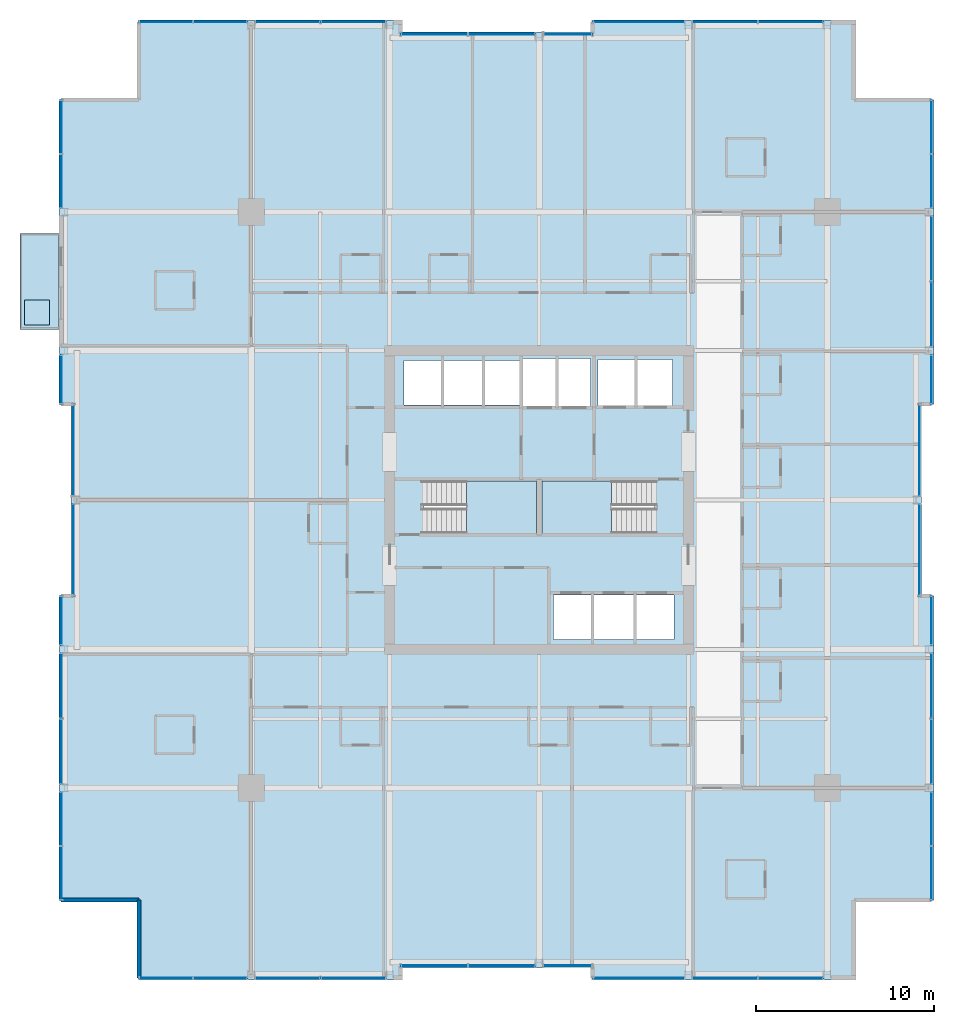
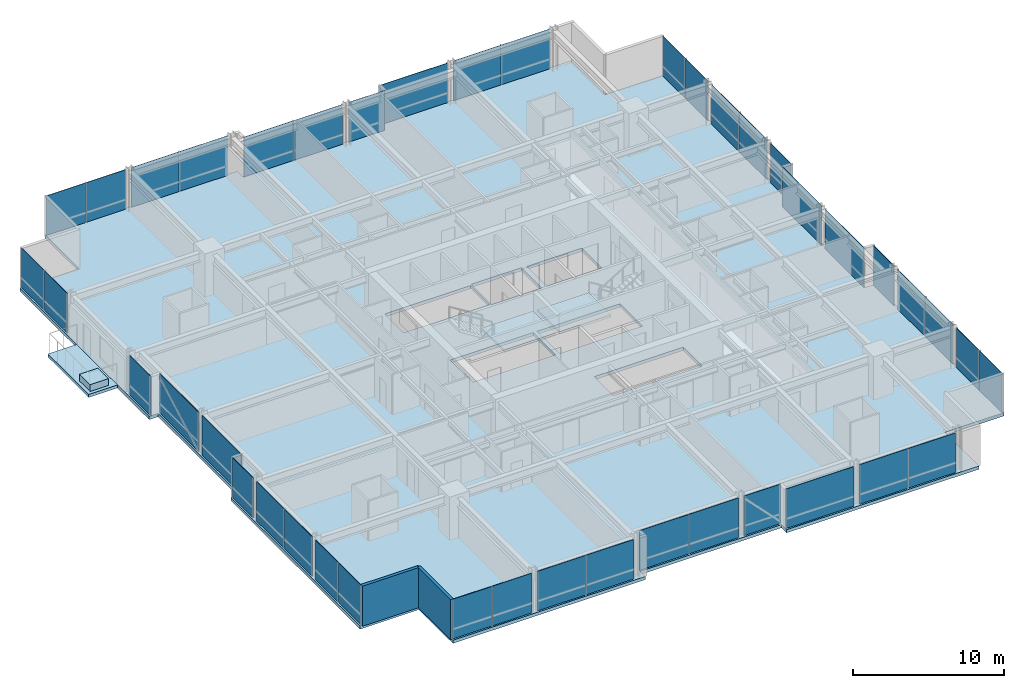
# One storey, part 27 of 35: 42 plates, 5 slabs, 2 walls, 29 elements without a shape of their own.
"""IFC4 building model written with IfcOpenShell, lengths in metres."""

from ifc_helpers import new_model, si_unit, direction, frame, frame_2d, origin, origin_2d, place, context, subcontext, project, spatial, polyline, rectangle, outline, extrude, material, layer, layer_set, type_object, element, aggregate, save


model = new_model("IFC4")

# Units and contexts
model_context = context("Model", 3, precision=1e-05, world=origin(), true_north=direction((0.0, 1.0)))
body_context = subcontext(model_context, "Body", "Model", "MODEL_VIEW")
ifc_project = project(units=[si_unit("LENGTHUNIT", "METRE"), si_unit("AREAUNIT", "SQUARE_METRE"), si_unit("VOLUMEUNIT", "CUBIC_METRE"), si_unit("PLANEANGLEUNIT", "RADIAN"), si_unit("MASSUNIT", "GRAM", prefix="KILO")], contexts=[model_context])

# Site, building, storey
site_placement = place(None, origin())
site = spatial("IfcSite", under=ifc_project, at=site_placement, CompositionType="ELEMENT")
building_placement = place(site_placement, origin())
building = spatial("IfcBuilding", under=site, at=building_placement, Name="Drelvath Grand Hotel", CompositionType="ELEMENT")
storey_placement = place(building_placement, frame((0.0, 0.0, 130.300048828125)))
storey = spatial("IfcBuildingStorey", under=building, at=storey_placement, Name="L33", CompositionType="ELEMENT", Elevation=130.300048828125)

# Slabs
ifc_material_1 = material(Name="Concrete f'c 40 MPa", Category="concrete")
ifc_layer_1 = layer(ifc_material_1, 0.239990234375)
ifc_layer_set_1 = layer_set([ifc_layer_1], Name="Concrete f'c 40 MPa")
slab_type_1 = type_object("IfcSlabType", Name="Cantilevered Tree Balcony Slab 240", PredefinedType="FLOOR", material=ifc_layer_set_1)
slab_1_placement = place(storey_placement, frame((0.0, 0.0, -0.239990234375)))
element("IfcSlab", 1, at=slab_1_placement, inside=storey, type_object=slab_type_1, Name="L33 Cantilevered Tree Balcony Slab 1", PredefinedType="FLOOR", context=body_context, shape_type="SweptSolid", body=[
    extrude(outline(polyline([(-29.199951171875, 36.60009765625), (-27.0, 36.60009765625), (-27.0, 42.0), (-29.199951171875, 42.0), (-29.199951171875, 36.60009765625)])), origin(), (0.0, 0.0, 1.0), 0.239990234375),
])
ifc_layer_2 = layer(ifc_material_1, 0.260009765625)
ifc_layer_set_2 = layer_set([ifc_layer_2], Name="Concrete f'c 40 MPa")
slab_type_2 = type_object("IfcSlabType", Name="Composite RC Floor Slab 260", PredefinedType="FLOOR", material=ifc_layer_set_2)
slab_2_placement = place(storey_placement, frame((0.0, 0.0, -0.260009765625)))
element("IfcSlab", 2, at=slab_2_placement, inside=storey, type_object=slab_type_2, Name="L33 Structural Floor Slab", PredefinedType="FLOOR", context=body_context, shape_type="SweptSolid", body=[
    extrude(outline(polyline([(-22.5, 0.0), (-7.800048828125, 0.0), (-7.800048828125, 0.679931640625), (3.0, 0.679931640625), (3.0, 0.0), (17.699951171875, 0.0), (17.699951171875, 4.5), (22.199951171875, 4.5), (22.199951171875, 21.60009765625), (21.52001953125, 21.60009765625), (21.52001953125, 32.39990234375), (22.199951171875, 32.39990234375), (22.199951171875, 49.5), (17.699951171875, 49.5), (17.699951171875, 54.0), (3.0, 54.0), (3.0, 53.320068359375), (-7.800048828125, 53.320068359375), (-7.800048828125, 54.0), (-22.5, 54.0), (-22.5, 49.5), (-27.0, 49.5), (-27.0, 32.39990234375), (-26.320068359375, 32.39990234375), (-26.320068359375, 21.60009765625), (-27.0, 21.60009765625), (-27.0, 4.5), (-22.5, 4.5), (-22.5, 0.0)]), holes=[polyline([(-6.47998046875, 25.1201171875), (-6.47998046875, 28.080078125), (-0.14990234375, 28.080078125), (-0.14990234375, 25.1201171875), (-6.47998046875, 25.1201171875)]), polyline([(0.14990234375, 25.1201171875), (0.14990234375, 28.080078125), (6.47998046875, 28.080078125), (6.47998046875, 25.1201171875), (0.14990234375, 25.1201171875)]), polyline([(0.800048828125, 19.14990234375), (0.800048828125, 21.64990234375), (7.60009765625, 21.64990234375), (7.60009765625, 19.14990234375), (0.800048828125, 19.14990234375)]), polyline([(-7.60009765625, 32.35009765625), (-7.60009765625, 34.85009765625), (-1.02001953125, 34.85009765625), (-1.02001953125, 32.35009765625), (-7.60009765625, 32.35009765625)]), polyline([(-0.89990234375, 32.25), (-0.89990234375, 34.949951171875), (2.89990234375, 34.949951171875), (2.89990234375, 32.25), (-0.89990234375, 32.25)]), polyline([(3.300048828125, 32.300048828125), (3.300048828125, 34.89990234375), (7.5, 34.89990234375), (7.5, 32.300048828125), (3.300048828125, 32.300048828125)])]), origin(), (0.0, 0.0, 1.0), 0.260009765625),
])

# Stair, slab
ifc_material_2 = material(Name="Concrete C40/50", Category="concrete")
stair_type = type_object("IfcStairType", Name="Dogleg Exit Stair W1400-R175.0", PredefinedType="HALF_TURN_STAIR", material=ifc_material_2)
stair_1_placement = place(storey_placement, origin())
stair_1 = element("IfcStair", 3, at=stair_1_placement, inside=storey, type_object=stair_type, Name="L33 Core Exit Stair ST-1", PredefinedType="HALF_TURN_STAIR")
ifc_layer_3 = layer(ifc_material_2, 0.199951171875)
ifc_layer_set_3 = layer_set([ifc_layer_3], Name="Concrete C40/50")
slab_type_3 = type_object("IfcSlabType", Name="Concrete Stair Landing Slab 200", PredefinedType="LANDING", material=ifc_layer_set_3)
slab_3_placement = place(storey_placement, frame((0.0, 0.0, 1.550048828125)))
slab_3 = element("IfcSlab", 4, at=slab_3_placement, type_object=slab_type_3, Name="ST-1 landing 1", PredefinedType="LANDING", context=body_context, shape_type="SweptSolid", body=[
    extrude(outline(polyline([(-4.080078125, 25.1201171875), (-0.14990234375, 25.1201171875), (-0.14990234375, 28.080078125), (-4.080078125, 28.080078125), (-4.080078125, 25.1201171875)])), origin(), (0.0, 0.0, 1.0), 0.199951171875),
])
aggregate(stair_1, [slab_3])

stair_2_placement = place(storey_placement, origin())
stair_2 = element("IfcStair", 5, at=stair_2_placement, inside=storey, type_object=stair_type, Name="L33 Core Exit Stair ST-2", PredefinedType="HALF_TURN_STAIR")
slab_4_placement = place(storey_placement, frame((0.0, 0.0, 1.550048828125)))
slab_4 = element("IfcSlab", 6, at=slab_4_placement, type_object=slab_type_3, Name="ST-2 landing 1", PredefinedType="LANDING", context=body_context, shape_type="SweptSolid", body=[
    extrude(outline(polyline([(4.080078125, 28.080078125), (0.14990234375, 28.080078125), (0.14990234375, 25.1201171875), (4.080078125, 25.1201171875), (4.080078125, 28.080078125)])), origin(), (0.0, 0.0, 1.0), 0.199951171875),
])
aggregate(stair_2, [slab_4])

# Curtain wall, plates
ifc_material_3 = material(Name="Champagne Bronze Anodised Aluminium Frame", Category="aluminium")
ifc_layer_4 = layer(ifc_material_3, 0.199951171875)
ifc_layer_set_4 = layer_set([ifc_layer_4], Name="Champagne Bronze Anodised Aluminium Frame")
curtain_wall_type = type_object("IfcCurtainWallType", Name="Stick Curtain Wall CW-03 Champagne Bronze Mid-Rise", PredefinedType="NOTDEFINED", material=ifc_layer_set_4)
curtain_wall_1_placement = place(storey_placement, origin())
curtain_wall_1 = element("IfcCurtainWall", 7, at=curtain_wall_1_placement, inside=storey, type_object=curtain_wall_type, Name="L33 CW-03 Curtain Wall CW03-L33-WS1", PredefinedType="NOTDEFINED")
ifc_material_4 = material(Name="Low-E Triple Silver Vision Glass Neutral", Category="glass")
ifc_layer_5 = layer(ifc_material_4, 0.035888671875)
ifc_layer_set_5 = layer_set([ifc_layer_5], Name="Low-E Triple Silver Vision Glass Neutral")
plate_type = type_object("IfcPlateType", Name="Curtain Wall Vision Panel CW-03 36mm", PredefinedType="CURTAIN_PANEL", material=ifc_layer_set_5)
plate_1_placement = place(storey_placement, frame((-26.8798828125, 6.022705078125, 0.02001953125), z_axis=(0.0, 0.0, 1.0), x_axis=(0.0, 1.0, 0.0)))
plate_1 = element("IfcPlate", 8, at=plate_1_placement, type_object=plate_type, Name="CW03-L33-WS1 Glazed Panel 1", PredefinedType="CURTAIN_PANEL", context=body_context, shape_type="SweptSolid", body=[
    extrude(rectangle(XDim=3.00537109375, YDim=0.035888671875, at=origin_2d()), origin(), (0.0, 0.0, 1.0), 3.199951171875),
])
plate_2_placement = place(storey_placement, frame((-26.8798828125, 9.06787109375, 0.02001953125), z_axis=(0.0, 0.0, 1.0), x_axis=(0.0, 1.0, 0.0)))
plate_2 = element("IfcPlate", 9, at=plate_2_placement, type_object=plate_type, Name="CW03-L33-WS1 Glazed Panel 2", PredefinedType="CURTAIN_PANEL", context=body_context, shape_type="SweptSolid", body=[
    extrude(rectangle(XDim=3.00537109375, YDim=0.035888671875, at=origin_2d()), origin(), (0.0, 0.0, 1.0), 3.199951171875),
])
aggregate(curtain_wall_1, [plate_1, plate_2])

curtain_wall_2_placement = place(storey_placement, origin())
curtain_wall_2 = element("IfcCurtainWall", 10, at=curtain_wall_2_placement, inside=storey, type_object=curtain_wall_type, Name="L33 CW-03 Curtain Wall CW03-L33-WS2", PredefinedType="NOTDEFINED")
plate_3_placement = place(storey_placement, frame((-26.8798828125, 12.854736328125, 0.02001953125), z_axis=(0.0, 0.0, 1.0), x_axis=(0.0, 1.0, 0.0)))
plate_3 = element("IfcPlate", 11, at=plate_3_placement, type_object=plate_type, Name="CW03-L33-WS2 Glazed Panel 1", PredefinedType="CURTAIN_PANEL", context=body_context, shape_type="SweptSolid", body=[
    extrude(rectangle(XDim=3.650634765625, YDim=0.035888671875, at=origin_2d()), origin(), (0.0, 0.0, 1.0), 3.199951171875),
])
plate_4_placement = place(storey_placement, frame((-26.8798828125, 16.54541015625, 0.02001953125), z_axis=(0.0, 0.0, 1.0), x_axis=(0.0, 1.0, 0.0)))
plate_4 = element("IfcPlate", 12, at=plate_4_placement, type_object=plate_type, Name="CW03-L33-WS2 Glazed Panel 2", PredefinedType="CURTAIN_PANEL", context=body_context, shape_type="SweptSolid", body=[
    extrude(rectangle(XDim=3.650634765625, YDim=0.035888671875, at=origin_2d()), origin(), (0.0, 0.0, 1.0), 3.199951171875),
])
aggregate(curtain_wall_2, [plate_3, plate_4])

# Curtain wall, plate
curtain_wall_3_placement = place(storey_placement, origin())
curtain_wall_3 = element("IfcCurtainWall", 13, at=curtain_wall_3_placement, inside=storey, type_object=curtain_wall_type, Name="L33 CW-03 Curtain Wall CW03-L33-WS3", PredefinedType="NOTDEFINED")
plate_5_placement = place(storey_placement, frame((-26.8798828125, 20.20458984375, 0.02001953125), z_axis=(0.0, 0.0, 1.0), x_axis=(0.0, 1.0, 0.0)))
plate_5 = element("IfcPlate", 14, at=plate_5_placement, type_object=plate_type, Name="CW03-L33-WS3 Glazed Panel 1", PredefinedType="CURTAIN_PANEL", context=body_context, shape_type="SweptSolid", body=[
    extrude(rectangle(XDim=2.75048828125, YDim=0.035888671875, at=origin_2d()), origin(), (0.0, 0.0, 1.0), 3.199951171875),
])
aggregate(curtain_wall_3, [plate_5])

curtain_wall_4_placement = place(storey_placement, origin())
curtain_wall_4 = element("IfcCurtainWall", 15, at=curtain_wall_4_placement, inside=storey, type_object=curtain_wall_type, Name="L33 CW-03 Curtain Wall CW03-L33-WM1", PredefinedType="NOTDEFINED")
plate_6_placement = place(storey_placement, frame((-26.199951171875, 24.1953125, 0.02001953125), z_axis=(0.0, 0.0, 1.0), x_axis=(0.0, 1.0, 0.0)))
plate_6 = element("IfcPlate", 16, at=plate_6_placement, type_object=plate_type, Name="CW03-L33-WM1 Glazed Panel 1", PredefinedType="CURTAIN_PANEL", context=body_context, shape_type="SweptSolid", body=[
    extrude(rectangle(XDim=5.150634765625, YDim=0.035888671875, at=origin_2d()), origin(), (0.0, 0.0, 1.0), 3.199951171875),
])
aggregate(curtain_wall_4, [plate_6])

curtain_wall_5_placement = place(storey_placement, origin())
curtain_wall_5 = element("IfcCurtainWall", 17, at=curtain_wall_5_placement, inside=storey, type_object=curtain_wall_type, Name="L33 CW-03 Curtain Wall CW03-L33-WM2", PredefinedType="NOTDEFINED")
plate_7_placement = place(storey_placement, frame((-26.199951171875, 29.8046875, 0.02001953125), z_axis=(0.0, 0.0, 1.0), x_axis=(0.0, 1.0, 0.0)))
plate_7 = element("IfcPlate", 18, at=plate_7_placement, type_object=plate_type, Name="CW03-L33-WM2 Glazed Panel 1", PredefinedType="CURTAIN_PANEL", context=body_context, shape_type="SweptSolid", body=[
    extrude(rectangle(XDim=5.150634765625, YDim=0.035888671875, at=origin_2d()), origin(), (0.0, 0.0, 1.0), 3.199951171875),
])
aggregate(curtain_wall_5, [plate_7])

curtain_wall_6_placement = place(storey_placement, origin())
curtain_wall_6 = element("IfcCurtainWall", 19, at=curtain_wall_6_placement, inside=storey, type_object=curtain_wall_type, Name="L33 CW-03 Curtain Wall CW03-L33-WN1", PredefinedType="NOTDEFINED")
plate_8_placement = place(storey_placement, frame((-26.8798828125, 33.79541015625, 0.02001953125), z_axis=(0.0, 0.0, 1.0), x_axis=(0.0, 1.0, 0.0)))
plate_8 = element("IfcPlate", 20, at=plate_8_placement, type_object=plate_type, Name="CW03-L33-WN1 Glazed Panel 1", PredefinedType="CURTAIN_PANEL", context=body_context, shape_type="SweptSolid", body=[
    extrude(rectangle(XDim=2.75048828125, YDim=0.035888671875, at=origin_2d()), origin(), (0.0, 0.0, 1.0), 3.199951171875),
])
aggregate(curtain_wall_6, [plate_8])

# Curtain wall, plates
curtain_wall_7_placement = place(storey_placement, origin())
curtain_wall_7 = element("IfcCurtainWall", 21, at=curtain_wall_7_placement, inside=storey, type_object=curtain_wall_type, Name="L33 CW-03 Curtain Wall CW03-L33-WN3", PredefinedType="NOTDEFINED")
plate_9_placement = place(storey_placement, frame((-26.8798828125, 44.93212890625, 0.02001953125), z_axis=(0.0, 0.0, 1.0), x_axis=(0.0, 1.0, 0.0)))
plate_9 = element("IfcPlate", 22, at=plate_9_placement, type_object=plate_type, Name="CW03-L33-WN3 Glazed Panel 1", PredefinedType="CURTAIN_PANEL", context=body_context, shape_type="SweptSolid", body=[
    extrude(rectangle(XDim=3.00537109375, YDim=0.035888671875, at=origin_2d()), origin(), (0.0, 0.0, 1.0), 3.199951171875),
])
plate_10_placement = place(storey_placement, frame((-26.8798828125, 47.977294921875, 0.02001953125), z_axis=(0.0, 0.0, 1.0), x_axis=(0.0, 1.0, 0.0)))
plate_10 = element("IfcPlate", 23, at=plate_10_placement, type_object=plate_type, Name="CW03-L33-WN3 Glazed Panel 2", PredefinedType="CURTAIN_PANEL", context=body_context, shape_type="SweptSolid", body=[
    extrude(rectangle(XDim=3.00537109375, YDim=0.035888671875, at=origin_2d()), origin(), (0.0, 0.0, 1.0), 3.199951171875),
])
aggregate(curtain_wall_7, [plate_9, plate_10])

# Curtain wall, plate
curtain_wall_8_placement = place(storey_placement, origin())
curtain_wall_8 = element("IfcCurtainWall", 24, at=curtain_wall_8_placement, inside=storey, type_object=curtain_wall_type, Name="L33 CW-03 Curtain Wall CW03-L33-EN1", PredefinedType="NOTDEFINED")
plate_11_placement = place(storey_placement, frame((22.080078125, 33.79541015625, 0.02001953125), z_axis=(0.0, 0.0, 1.0), x_axis=(0.0, -1.0, 0.0)))
plate_11 = element("IfcPlate", 25, at=plate_11_placement, type_object=plate_type, Name="CW03-L33-EN1 Glazed Panel 1", PredefinedType="CURTAIN_PANEL", context=body_context, shape_type="SweptSolid", body=[
    extrude(rectangle(XDim=2.75048828125, YDim=0.035888671875, at=origin_2d()), origin(), (0.0, 0.0, 1.0), 3.199951171875),
])
aggregate(curtain_wall_8, [plate_11])

# Curtain wall, plates
curtain_wall_9_placement = place(storey_placement, origin())
curtain_wall_9 = element("IfcCurtainWall", 26, at=curtain_wall_9_placement, inside=storey, type_object=curtain_wall_type, Name="L33 CW-03 Curtain Wall CW03-L33-EN2", PredefinedType="NOTDEFINED")
plate_12_placement = place(storey_placement, frame((22.080078125, 41.145263671875, 0.02001953125), z_axis=(0.0, 0.0, 1.0), x_axis=(0.0, -1.0, 0.0)))
plate_12 = element("IfcPlate", 27, at=plate_12_placement, type_object=plate_type, Name="CW03-L33-EN2 Glazed Panel 1", PredefinedType="CURTAIN_PANEL", context=body_context, shape_type="SweptSolid", body=[
    extrude(rectangle(XDim=3.650634765625, YDim=0.035888671875, at=origin_2d()), origin(), (0.0, 0.0, 1.0), 3.199951171875),
])
plate_13_placement = place(storey_placement, frame((22.080078125, 37.45458984375, 0.02001953125), z_axis=(0.0, 0.0, 1.0), x_axis=(0.0, -1.0, 0.0)))
plate_13 = element("IfcPlate", 28, at=plate_13_placement, type_object=plate_type, Name="CW03-L33-EN2 Glazed Panel 2", PredefinedType="CURTAIN_PANEL", context=body_context, shape_type="SweptSolid", body=[
    extrude(rectangle(XDim=3.650634765625, YDim=0.035888671875, at=origin_2d()), origin(), (0.0, 0.0, 1.0), 3.199951171875),
])
aggregate(curtain_wall_9, [plate_12, plate_13])

curtain_wall_10_placement = place(storey_placement, origin())
curtain_wall_10 = element("IfcCurtainWall", 29, at=curtain_wall_10_placement, inside=storey, type_object=curtain_wall_type, Name="L33 CW-03 Curtain Wall CW03-L33-EN3", PredefinedType="NOTDEFINED")
plate_14_placement = place(storey_placement, frame((22.080078125, 47.977294921875, 0.02001953125), z_axis=(0.0, 0.0, 1.0), x_axis=(0.0, -1.0, 0.0)))
plate_14 = element("IfcPlate", 30, at=plate_14_placement, type_object=plate_type, Name="CW03-L33-EN3 Glazed Panel 1", PredefinedType="CURTAIN_PANEL", context=body_context, shape_type="SweptSolid", body=[
    extrude(rectangle(XDim=3.00537109375, YDim=0.035888671875, at=origin_2d()), origin(), (0.0, 0.0, 1.0), 3.199951171875),
])
plate_15_placement = place(storey_placement, frame((22.080078125, 44.93212890625, 0.02001953125), z_axis=(0.0, 0.0, 1.0), x_axis=(0.0, -1.0, 0.0)))
plate_15 = element("IfcPlate", 31, at=plate_15_placement, type_object=plate_type, Name="CW03-L33-EN3 Glazed Panel 2", PredefinedType="CURTAIN_PANEL", context=body_context, shape_type="SweptSolid", body=[
    extrude(rectangle(XDim=3.00537109375, YDim=0.035888671875, at=origin_2d()), origin(), (0.0, 0.0, 1.0), 3.199951171875),
])
aggregate(curtain_wall_10, [plate_14, plate_15])

# Curtain wall, plate
curtain_wall_11_placement = place(storey_placement, origin())
curtain_wall_11 = element("IfcCurtainWall", 32, at=curtain_wall_11_placement, inside=storey, type_object=curtain_wall_type, Name="L33 CW-03 Curtain Wall CW03-L33-EM1", PredefinedType="NOTDEFINED")
plate_16_placement = place(storey_placement, frame((21.39990234375, 24.1953125, 0.02001953125), z_axis=(0.0, 0.0, 1.0), x_axis=(0.0, -1.0, 0.0)))
plate_16 = element("IfcPlate", 33, at=plate_16_placement, type_object=plate_type, Name="CW03-L33-EM1 Glazed Panel 1", PredefinedType="CURTAIN_PANEL", context=body_context, shape_type="SweptSolid", body=[
    extrude(rectangle(XDim=5.150634765625, YDim=0.035888671875, at=origin_2d()), origin(), (0.0, 0.0, 1.0), 3.199951171875),
])
aggregate(curtain_wall_11, [plate_16])

curtain_wall_12_placement = place(storey_placement, origin())
curtain_wall_12 = element("IfcCurtainWall", 34, at=curtain_wall_12_placement, inside=storey, type_object=curtain_wall_type, Name="L33 CW-03 Curtain Wall CW03-L33-EM2", PredefinedType="NOTDEFINED")
plate_17_placement = place(storey_placement, frame((21.39990234375, 29.8046875, 0.02001953125), z_axis=(0.0, 0.0, 1.0), x_axis=(0.0, -1.0, 0.0)))
plate_17 = element("IfcPlate", 35, at=plate_17_placement, type_object=plate_type, Name="CW03-L33-EM2 Glazed Panel 1", PredefinedType="CURTAIN_PANEL", context=body_context, shape_type="SweptSolid", body=[
    extrude(rectangle(XDim=5.150634765625, YDim=0.035888671875, at=origin_2d()), origin(), (0.0, 0.0, 1.0), 3.199951171875),
])
aggregate(curtain_wall_12, [plate_17])

# Curtain wall, plates
curtain_wall_13_placement = place(storey_placement, origin())
curtain_wall_13 = element("IfcCurtainWall", 36, at=curtain_wall_13_placement, inside=storey, type_object=curtain_wall_type, Name="L33 CW-03 Curtain Wall CW03-L33-ES1", PredefinedType="NOTDEFINED")
plate_18_placement = place(storey_placement, frame((22.080078125, 9.06787109375, 0.02001953125), z_axis=(0.0, 0.0, 1.0), x_axis=(0.0, -1.0, 0.0)))
plate_18 = element("IfcPlate", 37, at=plate_18_placement, type_object=plate_type, Name="CW03-L33-ES1 Glazed Panel 1", PredefinedType="CURTAIN_PANEL", context=body_context, shape_type="SweptSolid", body=[
    extrude(rectangle(XDim=3.00537109375, YDim=0.035888671875, at=origin_2d()), origin(), (0.0, 0.0, 1.0), 3.199951171875),
])
plate_19_placement = place(storey_placement, frame((22.080078125, 6.022705078125, 0.02001953125), z_axis=(0.0, 0.0, 1.0), x_axis=(0.0, -1.0, 0.0)))
plate_19 = element("IfcPlate", 38, at=plate_19_placement, type_object=plate_type, Name="CW03-L33-ES1 Glazed Panel 2", PredefinedType="CURTAIN_PANEL", context=body_context, shape_type="SweptSolid", body=[
    extrude(rectangle(XDim=3.00537109375, YDim=0.035888671875, at=origin_2d()), origin(), (0.0, 0.0, 1.0), 3.199951171875),
])
aggregate(curtain_wall_13, [plate_18, plate_19])

curtain_wall_14_placement = place(storey_placement, origin())
curtain_wall_14 = element("IfcCurtainWall", 39, at=curtain_wall_14_placement, inside=storey, type_object=curtain_wall_type, Name="L33 CW-03 Curtain Wall CW03-L33-ES2", PredefinedType="NOTDEFINED")
plate_20_placement = place(storey_placement, frame((22.080078125, 16.54541015625, 0.02001953125), z_axis=(0.0, 0.0, 1.0), x_axis=(0.0, -1.0, 0.0)))
plate_20 = element("IfcPlate", 40, at=plate_20_placement, type_object=plate_type, Name="CW03-L33-ES2 Glazed Panel 1", PredefinedType="CURTAIN_PANEL", context=body_context, shape_type="SweptSolid", body=[
    extrude(rectangle(XDim=3.650634765625, YDim=0.035888671875, at=origin_2d()), origin(), (0.0, 0.0, 1.0), 3.199951171875),
])
plate_21_placement = place(storey_placement, frame((22.080078125, 12.854736328125, 0.02001953125), z_axis=(0.0, 0.0, 1.0), x_axis=(0.0, -1.0, 0.0)))
plate_21 = element("IfcPlate", 41, at=plate_21_placement, type_object=plate_type, Name="CW03-L33-ES2 Glazed Panel 2", PredefinedType="CURTAIN_PANEL", context=body_context, shape_type="SweptSolid", body=[
    extrude(rectangle(XDim=3.650634765625, YDim=0.035888671875, at=origin_2d()), origin(), (0.0, 0.0, 1.0), 3.199951171875),
])
aggregate(curtain_wall_14, [plate_20, plate_21])

# Curtain wall, plate
curtain_wall_15_placement = place(storey_placement, origin())
curtain_wall_15 = element("IfcCurtainWall", 42, at=curtain_wall_15_placement, inside=storey, type_object=curtain_wall_type, Name="L33 CW-03 Curtain Wall CW03-L33-ES3", PredefinedType="NOTDEFINED")
plate_22_placement = place(storey_placement, frame((22.080078125, 20.20458984375, 0.02001953125), z_axis=(0.0, 0.0, 1.0), x_axis=(0.0, -1.0, 0.0)))
plate_22 = element("IfcPlate", 43, at=plate_22_placement, type_object=plate_type, Name="CW03-L33-ES3 Glazed Panel 1", PredefinedType="CURTAIN_PANEL", context=body_context, shape_type="SweptSolid", body=[
    extrude(rectangle(XDim=2.75048828125, YDim=0.035888671875, at=origin_2d()), origin(), (0.0, 0.0, 1.0), 3.199951171875),
])
aggregate(curtain_wall_15, [plate_22])

# Curtain wall, plates
curtain_wall_16_placement = place(storey_placement, origin())
curtain_wall_16 = element("IfcCurtainWall", 44, at=curtain_wall_16_placement, inside=storey, type_object=curtain_wall_type, Name="L33 CW-03 Curtain Wall CW03-L33-NW1", PredefinedType="NOTDEFINED")
plate_23_placement = place(storey_placement, frame((-20.977294921875, 53.8798828125, 0.02001953125), z_axis=(0.0, 0.0, 1.0), x_axis=(1.0, 0.0, 0.0)))
plate_23 = element("IfcPlate", 45, at=plate_23_placement, type_object=plate_type, Name="CW03-L33-NW1 Glazed Panel 1", PredefinedType="CURTAIN_PANEL", context=body_context, shape_type="SweptSolid", body=[
    extrude(rectangle(XDim=3.00537109375, YDim=0.035888671875, at=origin_2d()), origin(), (0.0, 0.0, 1.0), 3.199951171875),
])
plate_24_placement = place(storey_placement, frame((-17.93212890625, 53.8798828125, 0.02001953125), z_axis=(0.0, 0.0, 1.0), x_axis=(1.0, 0.0, 0.0)))
plate_24 = element("IfcPlate", 46, at=plate_24_placement, type_object=plate_type, Name="CW03-L33-NW1 Glazed Panel 2", PredefinedType="CURTAIN_PANEL", context=body_context, shape_type="SweptSolid", body=[
    extrude(rectangle(XDim=3.00537109375, YDim=0.035888671875, at=origin_2d()), origin(), (0.0, 0.0, 1.0), 3.199951171875),
])
aggregate(curtain_wall_16, [plate_23, plate_24])

curtain_wall_17_placement = place(storey_placement, origin())
curtain_wall_17 = element("IfcCurtainWall", 47, at=curtain_wall_17_placement, inside=storey, type_object=curtain_wall_type, Name="L33 CW-03 Curtain Wall CW03-L33-NW2", PredefinedType="NOTDEFINED")
plate_25_placement = place(storey_placement, frame((-14.145263671875, 53.8798828125, 0.02001953125), z_axis=(0.0, 0.0, 1.0), x_axis=(1.0, 0.0, 0.0)))
plate_25 = element("IfcPlate", 48, at=plate_25_placement, type_object=plate_type, Name="CW03-L33-NW2 Glazed Panel 1", PredefinedType="CURTAIN_PANEL", context=body_context, shape_type="SweptSolid", body=[
    extrude(rectangle(XDim=3.650634765625, YDim=0.035888671875, at=origin_2d()), origin(), (0.0, 0.0, 1.0), 3.199951171875),
])
plate_26_placement = place(storey_placement, frame((-10.45458984375, 53.8798828125, 0.02001953125), z_axis=(0.0, 0.0, 1.0), x_axis=(1.0, 0.0, 0.0)))
plate_26 = element("IfcPlate", 49, at=plate_26_placement, type_object=plate_type, Name="CW03-L33-NW2 Glazed Panel 2", PredefinedType="CURTAIN_PANEL", context=body_context, shape_type="SweptSolid", body=[
    extrude(rectangle(XDim=3.650634765625, YDim=0.035888671875, at=origin_2d()), origin(), (0.0, 0.0, 1.0), 3.199951171875),
])
aggregate(curtain_wall_17, [plate_25, plate_26])

curtain_wall_18_placement = place(storey_placement, origin())
curtain_wall_18 = element("IfcCurtainWall", 50, at=curtain_wall_18_placement, inside=storey, type_object=curtain_wall_type, Name="L33 CW-03 Curtain Wall CW03-L33-NM1", PredefinedType="NOTDEFINED")
plate_27_placement = place(storey_placement, frame((-5.90234375, 53.199951171875, 0.02001953125), z_axis=(0.0, 0.0, 1.0), x_axis=(1.0, 0.0, 0.0)))
plate_27 = element("IfcPlate", 51, at=plate_27_placement, type_object=plate_type, Name="CW03-L33-NM1 Glazed Panel 1", PredefinedType="CURTAIN_PANEL", context=body_context, shape_type="SweptSolid", body=[
    extrude(rectangle(XDim=3.75537109375, YDim=0.035888671875, at=origin_2d()), origin(), (0.0, 0.0, 1.0), 3.199951171875),
])
plate_28_placement = place(storey_placement, frame((-2.107177734375, 53.199951171875, 0.02001953125), z_axis=(0.0, 0.0, 1.0), x_axis=(1.0, 0.0, 0.0)))
plate_28 = element("IfcPlate", 52, at=plate_28_placement, type_object=plate_type, Name="CW03-L33-NM1 Glazed Panel 2", PredefinedType="CURTAIN_PANEL", context=body_context, shape_type="SweptSolid", body=[
    extrude(rectangle(XDim=3.75537109375, YDim=0.035888671875, at=origin_2d()), origin(), (0.0, 0.0, 1.0), 3.199951171875),
])
aggregate(curtain_wall_18, [plate_27, plate_28])

# Curtain wall, plate
curtain_wall_19_placement = place(storey_placement, origin())
curtain_wall_19 = element("IfcCurtainWall", 53, at=curtain_wall_19_placement, inside=storey, type_object=curtain_wall_type, Name="L33 CW-03 Curtain Wall CW03-L33-NM2", PredefinedType="NOTDEFINED")
plate_29_placement = place(storey_placement, frame((1.604736328125, 53.199951171875, 0.02001953125), z_axis=(0.0, 0.0, 1.0), x_axis=(1.0, 0.0, 0.0)))
plate_29 = element("IfcPlate", 54, at=plate_29_placement, type_object=plate_type, Name="CW03-L33-NM2 Glazed Panel 1", PredefinedType="CURTAIN_PANEL", context=body_context, shape_type="SweptSolid", body=[
    extrude(rectangle(XDim=2.75048828125, YDim=0.035888671875, at=origin_2d()), origin(), (0.0, 0.0, 1.0), 3.199951171875),
])
aggregate(curtain_wall_19, [plate_29])

curtain_wall_20_placement = place(storey_placement, origin())
curtain_wall_20 = element("IfcCurtainWall", 55, at=curtain_wall_20_placement, inside=storey, type_object=curtain_wall_type, Name="L33 CW-03 Curtain Wall CW03-L33-NE1", PredefinedType="NOTDEFINED")
plate_30_placement = place(storey_placement, frame((5.59521484375, 53.8798828125, 0.02001953125), z_axis=(0.0, 0.0, 1.0), x_axis=(1.0, 0.0, 0.0)))
plate_30 = element("IfcPlate", 56, at=plate_30_placement, type_object=plate_type, Name="CW03-L33-NE1 Glazed Panel 1", PredefinedType="CURTAIN_PANEL", context=body_context, shape_type="SweptSolid", body=[
    extrude(rectangle(XDim=5.150634765625, YDim=0.035888671875, at=origin_2d()), origin(), (0.0, 0.0, 1.0), 3.199951171875),
])
aggregate(curtain_wall_20, [plate_30])

# Curtain wall, plates
curtain_wall_21_placement = place(storey_placement, origin())
curtain_wall_21 = element("IfcCurtainWall", 57, at=curtain_wall_21_placement, inside=storey, type_object=curtain_wall_type, Name="L33 CW-03 Curtain Wall CW03-L33-NE2", PredefinedType="NOTDEFINED")
plate_31_placement = place(storey_placement, frame((10.45458984375, 53.8798828125, 0.02001953125), z_axis=(0.0, 0.0, 1.0), x_axis=(1.0, 0.0, 0.0)))
plate_31 = element("IfcPlate", 58, at=plate_31_placement, type_object=plate_type, Name="CW03-L33-NE2 Glazed Panel 1", PredefinedType="CURTAIN_PANEL", context=body_context, shape_type="SweptSolid", body=[
    extrude(rectangle(XDim=3.650634765625, YDim=0.035888671875, at=origin_2d()), origin(), (0.0, 0.0, 1.0), 3.199951171875),
])
plate_32_placement = place(storey_placement, frame((14.145263671875, 53.8798828125, 0.02001953125), z_axis=(0.0, 0.0, 1.0), x_axis=(1.0, 0.0, 0.0)))
plate_32 = element("IfcPlate", 59, at=plate_32_placement, type_object=plate_type, Name="CW03-L33-NE2 Glazed Panel 2", PredefinedType="CURTAIN_PANEL", context=body_context, shape_type="SweptSolid", body=[
    extrude(rectangle(XDim=3.650634765625, YDim=0.035888671875, at=origin_2d()), origin(), (0.0, 0.0, 1.0), 3.199951171875),
])
aggregate(curtain_wall_21, [plate_31, plate_32])

# Curtain wall, plate
curtain_wall_22_placement = place(storey_placement, origin())
curtain_wall_22 = element("IfcCurtainWall", 60, at=curtain_wall_22_placement, inside=storey, type_object=curtain_wall_type, Name="L33 CW-03 Curtain Wall CW03-L33-SE1", PredefinedType="NOTDEFINED")
plate_33_placement = place(storey_placement, frame((5.59521484375, 0.1201171875, 0.02001953125), z_axis=(0.0, 0.0, 1.0), x_axis=(-1.0, 0.0, 0.0)))
plate_33 = element("IfcPlate", 61, at=plate_33_placement, type_object=plate_type, Name="CW03-L33-SE1 Glazed Panel 1", PredefinedType="CURTAIN_PANEL", context=body_context, shape_type="SweptSolid", body=[
    extrude(rectangle(XDim=5.150634765625, YDim=0.035888671875, at=origin_2d()), origin(), (0.0, 0.0, 1.0), 3.199951171875),
])
aggregate(curtain_wall_22, [plate_33])

# Curtain wall, plates
curtain_wall_23_placement = place(storey_placement, origin())
curtain_wall_23 = element("IfcCurtainWall", 62, at=curtain_wall_23_placement, inside=storey, type_object=curtain_wall_type, Name="L33 CW-03 Curtain Wall CW03-L33-SE2", PredefinedType="NOTDEFINED")
plate_34_placement = place(storey_placement, frame((14.145263671875, 0.1201171875, 0.02001953125), z_axis=(0.0, 0.0, 1.0), x_axis=(-1.0, 0.0, 0.0)))
plate_34 = element("IfcPlate", 63, at=plate_34_placement, type_object=plate_type, Name="CW03-L33-SE2 Glazed Panel 1", PredefinedType="CURTAIN_PANEL", context=body_context, shape_type="SweptSolid", body=[
    extrude(rectangle(XDim=3.650634765625, YDim=0.035888671875, at=origin_2d()), origin(), (0.0, 0.0, 1.0), 3.199951171875),
])
plate_35_placement = place(storey_placement, frame((10.45458984375, 0.1201171875, 0.02001953125), z_axis=(0.0, 0.0, 1.0), x_axis=(-1.0, 0.0, 0.0)))
plate_35 = element("IfcPlate", 64, at=plate_35_placement, type_object=plate_type, Name="CW03-L33-SE2 Glazed Panel 2", PredefinedType="CURTAIN_PANEL", context=body_context, shape_type="SweptSolid", body=[
    extrude(rectangle(XDim=3.650634765625, YDim=0.035888671875, at=origin_2d()), origin(), (0.0, 0.0, 1.0), 3.199951171875),
])
aggregate(curtain_wall_23, [plate_34, plate_35])

curtain_wall_24_placement = place(storey_placement, origin())
curtain_wall_24 = element("IfcCurtainWall", 65, at=curtain_wall_24_placement, inside=storey, type_object=curtain_wall_type, Name="L33 CW-03 Curtain Wall CW03-L33-SM1", PredefinedType="NOTDEFINED")
plate_36_placement = place(storey_placement, frame((-2.107177734375, 0.800048828125, 0.02001953125), z_axis=(0.0, 0.0, 1.0), x_axis=(-1.0, 0.0, 0.0)))
plate_36 = element("IfcPlate", 66, at=plate_36_placement, type_object=plate_type, Name="CW03-L33-SM1 Glazed Panel 1", PredefinedType="CURTAIN_PANEL", context=body_context, shape_type="SweptSolid", body=[
    extrude(rectangle(XDim=3.75537109375, YDim=0.035888671875, at=origin_2d()), origin(), (0.0, 0.0, 1.0), 3.199951171875),
])
plate_37_placement = place(storey_placement, frame((-5.90234375, 0.800048828125, 0.02001953125), z_axis=(0.0, 0.0, 1.0), x_axis=(-1.0, 0.0, 0.0)))
plate_37 = element("IfcPlate", 67, at=plate_37_placement, type_object=plate_type, Name="CW03-L33-SM1 Glazed Panel 2", PredefinedType="CURTAIN_PANEL", context=body_context, shape_type="SweptSolid", body=[
    extrude(rectangle(XDim=3.75537109375, YDim=0.035888671875, at=origin_2d()), origin(), (0.0, 0.0, 1.0), 3.199951171875),
])
aggregate(curtain_wall_24, [plate_36, plate_37])

# Curtain wall, plate
curtain_wall_25_placement = place(storey_placement, origin())
curtain_wall_25 = element("IfcCurtainWall", 68, at=curtain_wall_25_placement, inside=storey, type_object=curtain_wall_type, Name="L33 CW-03 Curtain Wall CW03-L33-SM2", PredefinedType="NOTDEFINED")
plate_38_placement = place(storey_placement, frame((1.604736328125, 0.800048828125, 0.02001953125), z_axis=(0.0, 0.0, 1.0), x_axis=(-1.0, 0.0, 0.0)))
plate_38 = element("IfcPlate", 69, at=plate_38_placement, type_object=plate_type, Name="CW03-L33-SM2 Glazed Panel 1", PredefinedType="CURTAIN_PANEL", context=body_context, shape_type="SweptSolid", body=[
    extrude(rectangle(XDim=2.75048828125, YDim=0.035888671875, at=origin_2d()), origin(), (0.0, 0.0, 1.0), 3.199951171875),
])
aggregate(curtain_wall_25, [plate_38])

# Curtain wall, plates
curtain_wall_26_placement = place(storey_placement, origin())
curtain_wall_26 = element("IfcCurtainWall", 70, at=curtain_wall_26_placement, inside=storey, type_object=curtain_wall_type, Name="L33 CW-03 Curtain Wall CW03-L33-SW1", PredefinedType="NOTDEFINED")
plate_39_placement = place(storey_placement, frame((-17.93212890625, 0.1201171875, 0.02001953125), z_axis=(0.0, 0.0, 1.0), x_axis=(-1.0, 0.0, 0.0)))
plate_39 = element("IfcPlate", 71, at=plate_39_placement, type_object=plate_type, Name="CW03-L33-SW1 Glazed Panel 1", PredefinedType="CURTAIN_PANEL", context=body_context, shape_type="SweptSolid", body=[
    extrude(rectangle(XDim=3.00537109375, YDim=0.035888671875, at=origin_2d()), origin(), (0.0, 0.0, 1.0), 3.199951171875),
])
plate_40_placement = place(storey_placement, frame((-20.977294921875, 0.1201171875, 0.02001953125), z_axis=(0.0, 0.0, 1.0), x_axis=(-1.0, 0.0, 0.0)))
plate_40 = element("IfcPlate", 72, at=plate_40_placement, type_object=plate_type, Name="CW03-L33-SW1 Glazed Panel 2", PredefinedType="CURTAIN_PANEL", context=body_context, shape_type="SweptSolid", body=[
    extrude(rectangle(XDim=3.00537109375, YDim=0.035888671875, at=origin_2d()), origin(), (0.0, 0.0, 1.0), 3.199951171875),
])
aggregate(curtain_wall_26, [plate_39, plate_40])

curtain_wall_27_placement = place(storey_placement, origin())
curtain_wall_27 = element("IfcCurtainWall", 73, at=curtain_wall_27_placement, inside=storey, type_object=curtain_wall_type, Name="L33 CW-03 Curtain Wall CW03-L33-SW2", PredefinedType="NOTDEFINED")
plate_41_placement = place(storey_placement, frame((-10.45458984375, 0.1201171875, 0.02001953125), z_axis=(0.0, 0.0, 1.0), x_axis=(-1.0, 0.0, 0.0)))
plate_41 = element("IfcPlate", 74, at=plate_41_placement, type_object=plate_type, Name="CW03-L33-SW2 Glazed Panel 1", PredefinedType="CURTAIN_PANEL", context=body_context, shape_type="SweptSolid", body=[
    extrude(rectangle(XDim=3.650634765625, YDim=0.035888671875, at=origin_2d()), origin(), (0.0, 0.0, 1.0), 3.199951171875),
])
plate_42_placement = place(storey_placement, frame((-14.145263671875, 0.1201171875, 0.02001953125), z_axis=(0.0, 0.0, 1.0), x_axis=(-1.0, 0.0, 0.0)))
plate_42 = element("IfcPlate", 75, at=plate_42_placement, type_object=plate_type, Name="CW03-L33-SW2 Glazed Panel 2", PredefinedType="CURTAIN_PANEL", context=body_context, shape_type="SweptSolid", body=[
    extrude(rectangle(XDim=3.650634765625, YDim=0.035888671875, at=origin_2d()), origin(), (0.0, 0.0, 1.0), 3.199951171875),
])
aggregate(curtain_wall_27, [plate_41, plate_42])

# Slab
ifc_layer_6 = layer(ifc_material_1, 0.550048828125)
ifc_layer_set_6 = layer_set([ifc_layer_6], Name="Concrete f'c 40 MPa")
slab_type_4 = type_object("IfcSlabType", Name="Structural Tree Planter Box 550", PredefinedType="USERDEFINED", material=ifc_layer_set_6)
slab_5_placement = place(storey_placement, origin())
element("IfcSlab", 76, at=slab_5_placement, inside=storey, type_object=slab_type_4, Name="L33 Tree Balcony Structural Planter 1", ObjectType="PLANTER", PredefinedType="USERDEFINED", context=body_context, shape_type="SweptSolid", body=[
    extrude(outline(polyline([(-28.949951171875, 36.85009765625), (-27.550048828125, 36.85009765625), (-27.550048828125, 38.25), (-28.949951171875, 38.25), (-28.949951171875, 36.85009765625)])), origin(), (0.0, 0.0, 1.0), 0.550048828125),
])

# Walls
ifc_material_5 = material(Name="Pale-Metal Insulated Aluminium Spandrel Assembly", Category="aluminium")
ifc_layer_7 = layer(ifc_material_5, 0.239990234375)
ifc_layer_set_7 = layer_set([ifc_layer_7], Name="Pale-Metal Insulated Aluminium Spandrel Assembly")
wall_type = type_object("IfcWallType", Name="Tower Insulated Metal Spandrel Closure Wall 240", PredefinedType="STANDARD", material=ifc_layer_set_7)
for number, where, z_axis, x_axis, name in (
    (77, (-22.5, 0.1201171875, 0.0), (0.0, 0.0, 1.0), (0.0, 1.0, 0.0), "L33 Notched Corner Return Spandrel Wall CSW1"),
    (78, (-22.5, 4.5, 0.0), (0.0, 0.0, 1.0), (-1.0, 0.0, 0.0), "L33 Notched Corner Return Spandrel Wall CSW2"),
):
    element("IfcWall", number, at=place(storey_placement, frame(where, z_axis=z_axis, x_axis=x_axis)), inside=storey, type_object=wall_type, Name=name, PredefinedType="STANDARD", context=body_context, shape_type="SweptSolid", body=[
        extrude(rectangle(XDim=4.3798828125, YDim=0.239990234375, at=frame_2d((2.18994140625, 0.0))), origin(), (0.0, 0.0, 1.0), 3.239990234375),
    ])

save(model, "model.ifc")
